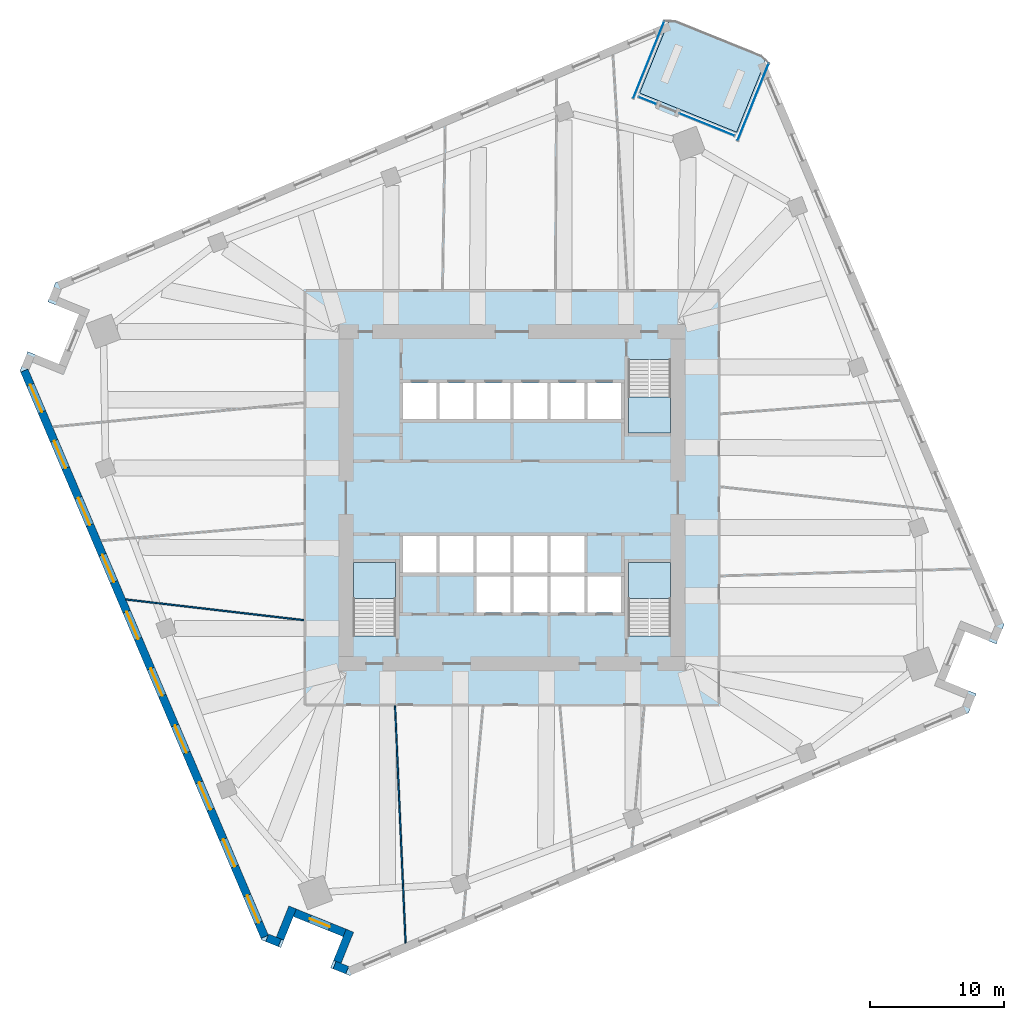
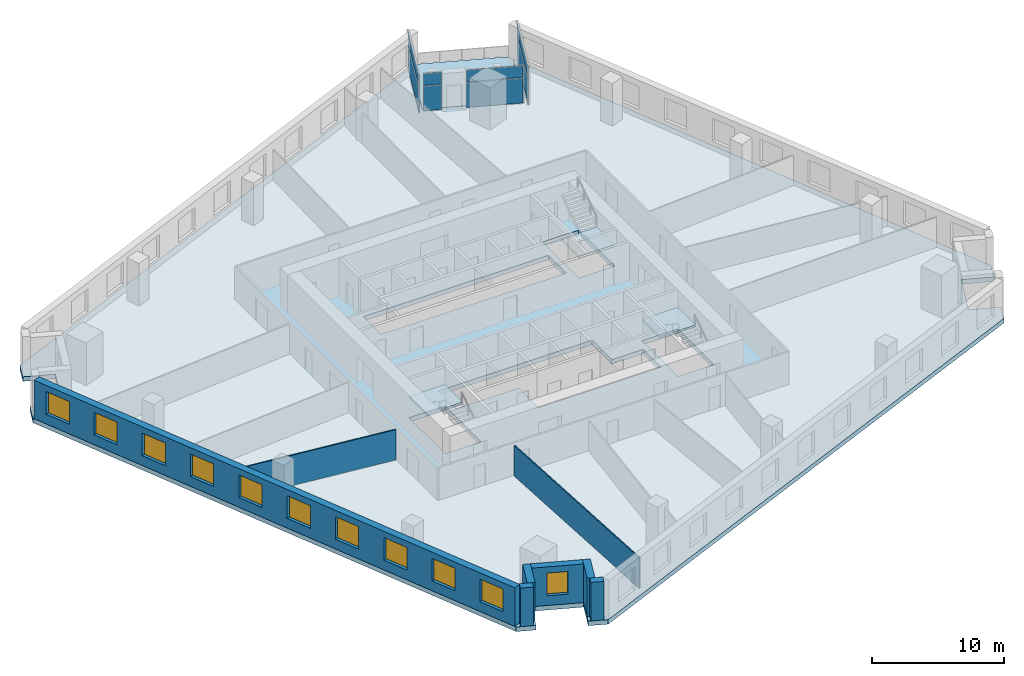
# One storey, part 5 of 12: 11 windows, 8 plates, 8 walls, 5 slabs, 11 openings, 7 elements without a shape of their own.
"""IFC4 building model written with IfcOpenShell, lengths in metres."""

from ifc_helpers import new_model, si_unit, direction, frame, frame_2d, origin, origin_2d, place, context, subcontext, project, spatial, polyline, rectangle, outline, extrude, material, layer, layer_set, type_object, element, fill, aggregate, save


model = new_model("IFC4")

# Units and contexts
model_context = context("Model", 3, precision=1e-05, world=origin(), true_north=direction((0.0, 1.0)))
body_context = subcontext(model_context, "Body", "Model", "MODEL_VIEW")
ifc_project = project(units=[si_unit("LENGTHUNIT", "METRE"), si_unit("AREAUNIT", "SQUARE_METRE"), si_unit("VOLUMEUNIT", "CUBIC_METRE"), si_unit("PLANEANGLEUNIT", "RADIAN"), si_unit("MASSUNIT", "GRAM", prefix="KILO")], contexts=[model_context])

# Site, building, storey
site_placement = place(None, origin())
site = spatial("IfcSite", under=ifc_project, at=site_placement, CompositionType="ELEMENT")
building_placement = place(site_placement, origin())
building = spatial("IfcBuilding", under=site, at=building_placement, Name="Dilmun Exchange Tower", CompositionType="ELEMENT")
storey_placement = place(building_placement, frame((0.0, 0.0, 114.10009765625)))
storey = spatial("IfcBuildingStorey", under=building, at=storey_placement, Name="L26", CompositionType="ELEMENT", Elevation=114.10009765625)

# Stair, slab
ifc_material_1 = material(Name="Concrete C40/50", Category="concrete")
stair_type = type_object("IfcStairType", Name="Exit stair 1500 half-turn", PredefinedType="HALF_TURN_STAIR", material=ifc_material_1)
stair_1_placement = place(storey_placement, origin())
stair_1 = element("IfcStair", 1, at=stair_1_placement, inside=storey, type_object=stair_type, Name="L26 Protected exit stair ST1", PredefinedType="HALF_TURN_STAIR")
ifc_layer_1 = layer(ifc_material_1, 0.199951171875)
ifc_layer_set_1 = layer_set([ifc_layer_1], Name="Concrete C40/50")
slab_type_1 = type_object("IfcSlabType", Name="Exit stair landing 200", PredefinedType="LANDING", material=ifc_layer_set_1)
slab_1_placement = place(storey_placement, frame((0.0, 0.0, 1.7998046875)))
slab_1 = element("IfcSlab", 2, at=slab_1_placement, type_object=slab_type_1, Name="ST1 landing 1", PredefinedType="LANDING", context=body_context, shape_type="SweptSolid", body=[
    extrude(outline(polyline([(8.64990234375, 7.5), (8.64990234375, 4.800048828125), (11.800048828125, 4.800048828125), (11.800048828125, 7.5), (8.64990234375, 7.5)])), origin(), (0.0, 0.0, 1.0), 0.2001953125),
])
aggregate(stair_1, [slab_1])

stair_2_placement = place(storey_placement, origin())
stair_2 = element("IfcStair", 3, at=stair_2_placement, inside=storey, type_object=stair_type, Name="L26 Protected exit stair ST2", PredefinedType="HALF_TURN_STAIR")
slab_2_placement = place(storey_placement, frame((0.0, 0.0, 1.7998046875)))
slab_2 = element("IfcSlab", 4, at=slab_2_placement, type_object=slab_type_1, Name="ST2 landing 1", PredefinedType="LANDING", context=body_context, shape_type="SweptSolid", body=[
    extrude(outline(polyline([(-8.64990234375, -7.5), (-8.64990234375, -4.800048828125), (-11.800048828125, -4.800048828125), (-11.800048828125, -7.5), (-8.64990234375, -7.5)])), origin(), (0.0, 0.0, 1.0), 0.2001953125),
])
aggregate(stair_2, [slab_2])

stair_3_placement = place(storey_placement, origin())
stair_3 = element("IfcStair", 5, at=stair_3_placement, inside=storey, type_object=stair_type, Name="L26 Protected exit stair ST3", PredefinedType="HALF_TURN_STAIR")
slab_3_placement = place(storey_placement, frame((0.0, 0.0, 1.7998046875)))
slab_3 = element("IfcSlab", 6, at=slab_3_placement, type_object=slab_type_1, Name="ST3 landing 1", PredefinedType="LANDING", context=body_context, shape_type="SweptSolid", body=[
    extrude(outline(polyline([(11.800048828125, -7.5), (11.800048828125, -4.800048828125), (8.64990234375, -4.800048828125), (8.64990234375, -7.5), (11.800048828125, -7.5)])), origin(), (0.0, 0.0, 1.0), 0.2001953125),
])
aggregate(stair_3, [slab_3])

# Curtain wall, plates
ifc_material_2 = material(Name="Anodised aluminium and clear glass", Category="aluminium")
curtain_wall_type = type_object("IfcCurtainWallType", Name="Garden corner glazing", PredefinedType="NOTDEFINED", material=ifc_material_2)
curtain_wall_1_placement = place(storey_placement, origin())
curtain_wall_1 = element("IfcCurtainWall", 7, at=curtain_wall_1_placement, inside=storey, type_object=curtain_wall_type, Name="Garden corner glazing run GC1.1", PredefinedType="NOTDEFINED")
ifc_material_3 = material(Name="Clear glass", Category="glass")
ifc_layer_2 = layer(ifc_material_3, 0.028076171875)
ifc_layer_set_2 = layer_set([ifc_layer_2], Name="Clear glass")
plate_type = type_object("IfcPlateType", Name="Garden corner glazing glass panel 28", PredefinedType="CURTAIN_PANEL", material=ifc_layer_set_2)
plate_1_placement = place(storey_placement, frame((17.931884765625, 29.425048828125, 0.059814453125), z_axis=(0.0, 0.0, 1.0), x_axis=(-0.374612333812, -0.927181535276, 0.0)))
plate_1 = element("IfcPlate", 8, at=plate_1_placement, type_object=plate_type, Name="GC1.1 panel 1.1", PredefinedType="CURTAIN_PANEL", context=body_context, shape_type="SweptSolid", body=[
    extrude(rectangle(XDim=6.12646484375, YDim=0.028076171875, at=origin_2d()), origin(), (0.0, 0.0, 1.0), 2.31005859375),
])
plate_2_placement = place(storey_placement, frame((17.931884765625, 29.425048828125, 2.4296875), z_axis=(0.0, 0.0, 1.0), x_axis=(-0.374612333812, -0.927181535276, 0.0)))
plate_2 = element("IfcPlate", 9, at=plate_2_placement, type_object=plate_type, Name="GC1.1 panel 1.2", PredefinedType="CURTAIN_PANEL", context=body_context, shape_type="SweptSolid", body=[
    extrude(rectangle(XDim=6.12646484375, YDim=0.028076171875, at=origin_2d()), origin(), (0.0, 0.0, 1.0), 1.090087890625),
])
aggregate(curtain_wall_1, [plate_1, plate_2])

curtain_wall_2_placement = place(storey_placement, origin())
curtain_wall_2 = element("IfcCurtainWall", 10, at=curtain_wall_2_placement, inside=storey, type_object=curtain_wall_type, Name="Garden corner glazing run GC2.1", PredefinedType="NOTDEFINED")
plate_3_placement = place(storey_placement, frame((14.514892578125, 27.7607421875, 0.059814453125), z_axis=(0.0, 0.0, 1.0), x_axis=(-0.927179054132, 0.374618474689, 0.0)))
plate_3 = element("IfcPlate", 11, at=plate_3_placement, type_object=plate_type, Name="GC2.1 panel 1.1", PredefinedType="CURTAIN_PANEL", context=body_context, shape_type="SweptSolid", body=[
    extrude(rectangle(XDim=4.369140625, YDim=0.028076171875, at=origin_2d()), origin(), (0.0, 0.0, 1.0), 2.31005859375),
])
plate_4_placement = place(storey_placement, frame((14.514892578125, 27.7607421875, 2.4296875), z_axis=(0.0, 0.0, 1.0), x_axis=(-0.927179054132, 0.374618474689, 0.0)))
plate_4 = element("IfcPlate", 12, at=plate_4_placement, type_object=plate_type, Name="GC2.1 panel 1.2", PredefinedType="CURTAIN_PANEL", context=body_context, shape_type="SweptSolid", body=[
    extrude(rectangle(XDim=4.369140625, YDim=0.028076171875, at=origin_2d()), origin(), (0.0, 0.0, 1.0), 1.090087890625),
])
aggregate(curtain_wall_2, [plate_3, plate_4])

curtain_wall_3_placement = place(storey_placement, origin())
curtain_wall_3 = element("IfcCurtainWall", 13, at=curtain_wall_3_placement, inside=storey, type_object=curtain_wall_type, Name="Garden corner glazing run GC2.3", PredefinedType="NOTDEFINED")
plate_5_placement = place(storey_placement, frame((10.07470703125, 29.5546875, 0.059814453125), z_axis=(0.0, 0.0, 1.0), x_axis=(-0.927192953177, 0.374584072778, 0.0)))
plate_5 = element("IfcPlate", 14, at=plate_5_placement, type_object=plate_type, Name="GC2.3 panel 1.1", PredefinedType="CURTAIN_PANEL", context=body_context, shape_type="SweptSolid", body=[
    extrude(rectangle(XDim=1.369140625, YDim=0.028076171875, at=origin_2d()), origin(), (0.0, 0.0, 1.0), 2.31005859375),
])
plate_6_placement = place(storey_placement, frame((10.07470703125, 29.5546875, 2.4296875), z_axis=(0.0, 0.0, 1.0), x_axis=(-0.927192953177, 0.374584072778, 0.0)))
plate_6 = element("IfcPlate", 15, at=plate_6_placement, type_object=plate_type, Name="GC2.3 panel 1.2", PredefinedType="CURTAIN_PANEL", context=body_context, shape_type="SweptSolid", body=[
    extrude(rectangle(XDim=1.369140625, YDim=0.028076171875, at=origin_2d()), origin(), (0.0, 0.0, 1.0), 1.090087890625),
])
aggregate(curtain_wall_3, [plate_5, plate_6])

curtain_wall_4_placement = place(storey_placement, origin())
curtain_wall_4 = element("IfcCurtainWall", 16, at=curtain_wall_4_placement, inside=storey, type_object=curtain_wall_type, Name="Garden corner glazing run GC3.1", PredefinedType="NOTDEFINED")
plate_7_placement = place(storey_placement, frame((10.163818359375, 32.563720703125, 0.059814453125), z_axis=(0.0, 0.0, 1.0), x_axis=(0.374598571247, 0.927187095693, 0.0)))
plate_7 = element("IfcPlate", 17, at=plate_7_placement, type_object=plate_type, Name="GC3.1 panel 1.1", PredefinedType="CURTAIN_PANEL", context=body_context, shape_type="SweptSolid", body=[
    extrude(rectangle(XDim=6.12646484375, YDim=0.028076171875, at=origin_2d()), origin(), (0.0, 0.0, 1.0), 2.31005859375),
])
plate_8_placement = place(storey_placement, frame((10.163818359375, 32.563720703125, 2.4296875), z_axis=(0.0, 0.0, 1.0), x_axis=(0.374598571247, 0.927187095693, 0.0)))
plate_8 = element("IfcPlate", 18, at=plate_8_placement, type_object=plate_type, Name="GC3.1 panel 1.2", PredefinedType="CURTAIN_PANEL", context=body_context, shape_type="SweptSolid", body=[
    extrude(rectangle(XDim=6.12646484375, YDim=0.028076171875, at=origin_2d()), origin(), (0.0, 0.0, 1.0), 1.090087890625),
])
aggregate(curtain_wall_4, [plate_7, plate_8])

# Slabs
ifc_layer_3 = layer(ifc_material_1, 0.419921875)
ifc_layer_set_3 = layer_set([ifc_layer_3], Name="Concrete C40/50")
slab_type_2 = type_object("IfcSlabType", Name="RC floor slab 420", PredefinedType="FLOOR", material=ifc_layer_set_3)
slab_4_placement = place(storey_placement, frame((0.0, 0.0, -0.420166015625)))
element("IfcSlab", 19, at=slab_4_placement, inside=storey, type_object=slab_type_2, Name="Floor slab", PredefinedType="FLOOR", context=body_context, shape_type="SweptSolid", body=[
    extrude(outline(polyline([(36.026611328125, -10.873291015625), (33.708740234375, -9.93701171875), (32.21044921875, -13.6455078125), (34.5283203125, -14.58203125), (33.953125, -16.005859375), (-12.072021484375, -35.54248046875), (-13.495849609375, -34.96728515625), (-12.559326171875, -32.649169921875), (-16.26806640625, -31.15087890625), (-17.20458984375, -33.46875), (-18.62841796875, -32.8935546875), (-36.60205078125, 9.44970703125), (-36.026611328125, 10.873291015625), (-33.708740234375, 9.93701171875), (-32.21044921875, 13.6455078125), (-34.5283203125, 14.58203125), (-33.953125, 16.005859375), (11.61181640625, 35.346923828125), (9.49658203125, 30.11181640625), (16.70849609375, 27.197998046875), (18.82373046875, 32.433349609375), (36.60205078125, -9.44970703125), (36.026611328125, -10.873291015625)]), holes=[polyline([(-8.64990234375, -4.800048828125), (-11.800048828125, -4.800048828125), (-11.800048828125, -10.294921875), (-8.64990234375, -10.294921875), (-8.64990234375, -4.800048828125)]), polyline([(11.800048828125, -4.800048828125), (8.64990234375, -4.800048828125), (8.64990234375, -10.294921875), (11.800048828125, -10.294921875), (11.800048828125, -4.800048828125)]), polyline([(-8.125, -2.85009765625), (-8.125, -5.550048828125), (-2.625, -5.550048828125), (-2.625, -8.550048828125), (8.125, -8.550048828125), (8.125, -5.85009765625), (5.375, -5.85009765625), (5.375, -2.85009765625), (-8.125, -2.85009765625)]), polyline([(-8.125, 5.85009765625), (8.125, 5.85009765625), (8.125, 8.550048828125), (-8.125, 8.550048828125), (-8.125, 5.85009765625)]), polyline([(8.64990234375, 10.294921875), (8.64990234375, 4.800048828125), (11.800048828125, 4.800048828125), (11.800048828125, 10.294921875), (8.64990234375, 10.294921875)])]), origin(), (0.0, 0.0, 1.0), 0.420166015625),
])
ifc_layer_4 = layer(ifc_material_1, 0.300048828125)
ifc_layer_set_4 = layer_set([ifc_layer_4], Name="Concrete C40/50")
slab_type_3 = type_object("IfcSlabType", Name="RC garden terrace slab 300", PredefinedType="FLOOR", material=ifc_layer_set_4)
slab_5_placement = place(storey_placement, frame((0.0, 0.0, -0.300048828125)))
element("IfcSlab", 20, at=slab_5_placement, inside=storey, type_object=slab_type_3, Name="Garden terrace slab", PredefinedType="FLOOR", context=body_context, shape_type="SweptSolid", body=[
    extrude(outline(polyline([(9.49658203125, 30.11181640625), (11.61181640625, 35.346923828125), (12.072021484375, 35.54248046875), (18.62841796875, 32.8935546875), (18.82373046875, 32.433349609375), (16.70849609375, 27.197998046875), (9.49658203125, 30.11181640625)])), origin(), (0.0, 0.0, 1.0), 0.300048828125),
])

# Walls
ifc_material_4 = material(Name="Partition 100")
ifc_layer_5 = layer(ifc_material_4, 0.10009765625)
ifc_layer_set_5 = layer_set([ifc_layer_5], Name="Partition 100")
wall_type_1 = type_object("IfcWallType", Name="Partition 100", PredefinedType="PARTITIONING", material=ifc_layer_set_5)
wall_1_placement = place(storey_placement, frame((-28.724853515625, -7.567138671875, 0.0), z_axis=(0.0, 0.0, 1.0), x_axis=(0.993302982739, -0.115538670939, 0.0)))
element("IfcWall", 21, at=wall_1_placement, inside=storey, type_object=wall_type_1, Name="Partition", PredefinedType="PARTITIONING", context=body_context, shape_type="SweptSolid", body=[
    extrude(rectangle(XDim=13.33349609375, YDim=0.10009765625, at=frame_2d((6.666748046875, 0.0))), origin(), (0.0, 0.0, 1.0), 2.829833984375),
])
wall_2_placement = place(storey_placement, frame((-8.70556640625, -15.477294921875, 0.0), z_axis=(0.0, 0.0, 1.0), x_axis=(0.044654718462, -0.999002480537, 0.0)))
element("IfcWall", 22, at=wall_2_placement, inside=storey, type_object=wall_type_1, Name="Partition", PredefinedType="PARTITIONING", context=body_context, shape_type="SweptSolid", body=[
    extrude(rectangle(XDim=17.664794921875, YDim=0.10009765625, at=frame_2d((8.83251953125, 0.0))), origin(), (0.0, 0.0, 1.0), 2.829833984375),
])

# Wall, openings, windows
ifc_material_5 = material(Name="Precast concrete C50/60", Category="concrete")
ifc_layer_6 = layer(ifc_material_5, 0.60009765625)
ifc_layer_set_6 = layer_set([ifc_layer_6], Name="Precast concrete C50/60")
wall_type_2 = type_object("IfcWallType", Name="Precast stone-clad wall 600", PredefinedType="STANDARD", material=ifc_layer_set_6)
wall_3_placement = place(storey_placement, frame((-36.27734375, 9.452392578125, 0.0), z_axis=(0.0, 0.0, 1.0), x_axis=(0.39073607599, -0.920502753347, 0.0)))
wall_3 = element("IfcWall", 23, at=wall_3_placement, inside=storey, type_object=wall_type_2, Name="Facade wall L26-09", PredefinedType="STANDARD", context=body_context, shape_type="SweptSolid", body=[
    extrude(rectangle(XDim=45.75146484375, YDim=0.60009765625, at=frame_2d((22.875732421875, 0.0))), origin(), (0.0, 0.0, 1.0), 3.579833984375),
])
opening_1_placement = place(wall_3_placement, frame((1.137939453125, 0.0, 0.89990234375)))
opening_1 = element("IfcOpeningElement", 24, at=opening_1_placement, cuts=wall_3, Name="Opening W220-210", PredefinedType="OPENING", context=body_context, shape_type="SweptSolid", body=[
    extrude(rectangle(XDim=2.199951171875, YDim=2.10009765625, at=frame_2d((1.10009765625, 1.050048828125))), frame((0.0, 0.31005859375, 0.0), z_axis=(0.0, -1.0, 0.0), x_axis=(1.0, 0.0, 0.0)), (0.0, 0.0, 1.0), 0.6201171875),
])
opening_2_placement = place(wall_3_placement, frame((5.67578125, 0.0, 0.89990234375)))
opening_2 = element("IfcOpeningElement", 25, at=opening_2_placement, cuts=wall_3, Name="Opening W220-210", PredefinedType="OPENING", context=body_context, shape_type="SweptSolid", body=[
    extrude(rectangle(XDim=2.199951171875, YDim=2.10009765625, at=frame_2d((1.10009765625, 1.050048828125))), frame((0.0, 0.31005859375, 0.0), z_axis=(0.0, -1.0, 0.0), x_axis=(1.0, 0.0, 0.0)), (0.0, 0.0, 1.0), 0.6201171875),
])
opening_3_placement = place(wall_3_placement, frame((10.275634765625, 0.0, 0.89990234375)))
opening_3 = element("IfcOpeningElement", 26, at=opening_3_placement, cuts=wall_3, Name="Opening W220-210", PredefinedType="OPENING", context=body_context, shape_type="SweptSolid", body=[
    extrude(rectangle(XDim=2.199951171875, YDim=2.10009765625, at=frame_2d((1.10009765625, 1.050048828125))), frame((0.0, 0.31005859375, 0.0), z_axis=(0.0, -1.0, 0.0), x_axis=(1.0, 0.0, 0.0)), (0.0, 0.0, 1.0), 0.6201171875),
])
opening_4_placement = place(wall_3_placement, frame((14.875732421875, 0.0, 0.89990234375)))
opening_4 = element("IfcOpeningElement", 27, at=opening_4_placement, cuts=wall_3, Name="Opening W220-210", PredefinedType="OPENING", context=body_context, shape_type="SweptSolid", body=[
    extrude(rectangle(XDim=2.199951171875, YDim=2.10009765625, at=frame_2d((1.10009765625, 1.050048828125))), frame((0.0, 0.31005859375, 0.0), z_axis=(0.0, -1.0, 0.0), x_axis=(1.0, 0.0, 0.0)), (0.0, 0.0, 1.0), 0.6201171875),
])
opening_5_placement = place(wall_3_placement, frame((19.4755859375, 0.0, 0.89990234375)))
opening_5 = element("IfcOpeningElement", 28, at=opening_5_placement, cuts=wall_3, Name="Opening W220-210", PredefinedType="OPENING", context=body_context, shape_type="SweptSolid", body=[
    extrude(rectangle(XDim=2.199951171875, YDim=2.10009765625, at=frame_2d((1.10009765625, 1.050048828125))), frame((0.0, 0.31005859375, 0.0), z_axis=(0.0, -1.0, 0.0), x_axis=(1.0, 0.0, 0.0)), (0.0, 0.0, 1.0), 0.6201171875),
])
opening_6_placement = place(wall_3_placement, frame((24.07568359375, 0.0, 0.89990234375)))
opening_6 = element("IfcOpeningElement", 29, at=opening_6_placement, cuts=wall_3, Name="Opening W220-210", PredefinedType="OPENING", context=body_context, shape_type="SweptSolid", body=[
    extrude(rectangle(XDim=2.199951171875, YDim=2.10009765625, at=frame_2d((1.10009765625, 1.050048828125))), frame((0.0, 0.31005859375, 0.0), z_axis=(0.0, -1.0, 0.0), x_axis=(1.0, 0.0, 0.0)), (0.0, 0.0, 1.0), 0.6201171875),
])
opening_7_placement = place(wall_3_placement, frame((28.67578125, 0.0, 0.89990234375)))
opening_7 = element("IfcOpeningElement", 30, at=opening_7_placement, cuts=wall_3, Name="Opening W220-210", PredefinedType="OPENING", context=body_context, shape_type="SweptSolid", body=[
    extrude(rectangle(XDim=2.199951171875, YDim=2.10009765625, at=frame_2d((1.10009765625, 1.050048828125))), frame((0.0, 0.31005859375, 0.0), z_axis=(0.0, -1.0, 0.0), x_axis=(1.0, 0.0, 0.0)), (0.0, 0.0, 1.0), 0.6201171875),
])
opening_8_placement = place(wall_3_placement, frame((33.275634765625, 0.0, 0.89990234375)))
opening_8 = element("IfcOpeningElement", 31, at=opening_8_placement, cuts=wall_3, Name="Opening W220-210", PredefinedType="OPENING", context=body_context, shape_type="SweptSolid", body=[
    extrude(rectangle(XDim=2.199951171875, YDim=2.10009765625, at=frame_2d((1.10009765625, 1.050048828125))), frame((0.0, 0.31005859375, 0.0), z_axis=(0.0, -1.0, 0.0), x_axis=(1.0, 0.0, 0.0)), (0.0, 0.0, 1.0), 0.6201171875),
])
opening_9_placement = place(wall_3_placement, frame((37.875732421875, 0.0, 0.89990234375)))
opening_9 = element("IfcOpeningElement", 32, at=opening_9_placement, cuts=wall_3, Name="Opening W220-210", PredefinedType="OPENING", context=body_context, shape_type="SweptSolid", body=[
    extrude(rectangle(XDim=2.199951171875, YDim=2.10009765625, at=frame_2d((1.10009765625, 1.050048828125))), frame((0.0, 0.31005859375, 0.0), z_axis=(0.0, -1.0, 0.0), x_axis=(1.0, 0.0, 0.0)), (0.0, 0.0, 1.0), 0.6201171875),
])
opening_10_placement = place(wall_3_placement, frame((42.41357421875, 0.0, 0.89990234375)))
opening_10 = element("IfcOpeningElement", 33, at=opening_10_placement, cuts=wall_3, Name="Opening W220-210", PredefinedType="OPENING", context=body_context, shape_type="SweptSolid", body=[
    extrude(rectangle(XDim=2.199951171875, YDim=2.10009765625, at=frame_2d((1.10009765625, 1.050048828125))), frame((0.0, 0.31005859375, 0.0), z_axis=(0.0, -1.0, 0.0), x_axis=(1.0, 0.0, 0.0)), (0.0, 0.0, 1.0), 0.6201171875),
])
ifc_material_6 = material(Name="Clear low-emissivity glass in aluminium frame", Category="aluminium")
window_type_1 = type_object("IfcWindowType", Name="Punched window 2200 x 2100", PartitioningType="DOUBLE_PANEL_VERTICAL", PredefinedType="WINDOW", material=ifc_material_6)
window_1_placement = place(opening_1_placement, origin())
window_1 = element("IfcWindow", 34, at=window_1_placement, inside=storey, type_object=window_type_1, Name="Window 10.1", OverallHeight=2.10009765625, OverallWidth=2.199951171875, PartitioningType="SINGLE_PANEL", PredefinedType="WINDOW", context=body_context, shape_type="SweptSolid", body=[
    extrude(rectangle(XDim=2.199951171875, YDim=2.10009765625, at=frame_2d((1.10009765625, 1.050048828125))), frame((0.0, 0.030029296875, 0.0), z_axis=(0.0, -1.0, 0.0), x_axis=(1.0, 0.0, 0.0)), (0.0, 0.0, 1.0), 0.06005859375),
])
fill(opening_1, window_1)
window_2_placement = place(opening_2_placement, origin())
window_2 = element("IfcWindow", 35, at=window_2_placement, inside=storey, type_object=window_type_1, Name="Window 10.2", OverallHeight=2.10009765625, OverallWidth=2.199951171875, PartitioningType="SINGLE_PANEL", PredefinedType="WINDOW", context=body_context, shape_type="SweptSolid", body=[
    extrude(rectangle(XDim=2.199951171875, YDim=2.10009765625, at=frame_2d((1.10009765625, 1.050048828125))), frame((0.0, 0.030029296875, 0.0), z_axis=(0.0, -1.0, 0.0), x_axis=(1.0, 0.0, 0.0)), (0.0, 0.0, 1.0), 0.06005859375),
])
fill(opening_2, window_2)
window_3_placement = place(opening_3_placement, origin())
window_3 = element("IfcWindow", 36, at=window_3_placement, inside=storey, type_object=window_type_1, Name="Window 10.3", OverallHeight=2.10009765625, OverallWidth=2.199951171875, PartitioningType="SINGLE_PANEL", PredefinedType="WINDOW", context=body_context, shape_type="SweptSolid", body=[
    extrude(rectangle(XDim=2.199951171875, YDim=2.10009765625, at=frame_2d((1.10009765625, 1.050048828125))), frame((0.0, 0.030029296875, 0.0), z_axis=(0.0, -1.0, 0.0), x_axis=(1.0, 0.0, 0.0)), (0.0, 0.0, 1.0), 0.06005859375),
])
fill(opening_3, window_3)
window_4_placement = place(opening_4_placement, origin())
window_4 = element("IfcWindow", 37, at=window_4_placement, inside=storey, type_object=window_type_1, Name="Window 10.4", OverallHeight=2.10009765625, OverallWidth=2.199951171875, PartitioningType="SINGLE_PANEL", PredefinedType="WINDOW", context=body_context, shape_type="SweptSolid", body=[
    extrude(rectangle(XDim=2.199951171875, YDim=2.10009765625, at=frame_2d((1.10009765625, 1.050048828125))), frame((0.0, 0.030029296875, 0.0), z_axis=(0.0, -1.0, 0.0), x_axis=(1.0, 0.0, 0.0)), (0.0, 0.0, 1.0), 0.06005859375),
])
fill(opening_4, window_4)
window_5_placement = place(opening_5_placement, origin())
window_5 = element("IfcWindow", 38, at=window_5_placement, inside=storey, type_object=window_type_1, Name="Window 10.5", OverallHeight=2.10009765625, OverallWidth=2.199951171875, PartitioningType="SINGLE_PANEL", PredefinedType="WINDOW", context=body_context, shape_type="SweptSolid", body=[
    extrude(rectangle(XDim=2.199951171875, YDim=2.10009765625, at=frame_2d((1.10009765625, 1.050048828125))), frame((0.0, 0.030029296875, 0.0), z_axis=(0.0, -1.0, 0.0), x_axis=(1.0, 0.0, 0.0)), (0.0, 0.0, 1.0), 0.06005859375),
])
fill(opening_5, window_5)
window_6_placement = place(opening_6_placement, origin())
window_6 = element("IfcWindow", 39, at=window_6_placement, inside=storey, type_object=window_type_1, Name="Window 10.6", OverallHeight=2.10009765625, OverallWidth=2.199951171875, PartitioningType="SINGLE_PANEL", PredefinedType="WINDOW", context=body_context, shape_type="SweptSolid", body=[
    extrude(rectangle(XDim=2.199951171875, YDim=2.10009765625, at=frame_2d((1.10009765625, 1.050048828125))), frame((0.0, 0.030029296875, 0.0), z_axis=(0.0, -1.0, 0.0), x_axis=(1.0, 0.0, 0.0)), (0.0, 0.0, 1.0), 0.06005859375),
])
fill(opening_6, window_6)
window_7_placement = place(opening_7_placement, origin())
window_7 = element("IfcWindow", 40, at=window_7_placement, inside=storey, type_object=window_type_1, Name="Window 10.7", OverallHeight=2.10009765625, OverallWidth=2.199951171875, PartitioningType="SINGLE_PANEL", PredefinedType="WINDOW", context=body_context, shape_type="SweptSolid", body=[
    extrude(rectangle(XDim=2.199951171875, YDim=2.10009765625, at=frame_2d((1.10009765625, 1.050048828125))), frame((0.0, 0.030029296875, 0.0), z_axis=(0.0, -1.0, 0.0), x_axis=(1.0, 0.0, 0.0)), (0.0, 0.0, 1.0), 0.06005859375),
])
fill(opening_7, window_7)
window_8_placement = place(opening_8_placement, origin())
window_8 = element("IfcWindow", 41, at=window_8_placement, inside=storey, type_object=window_type_1, Name="Window 10.8", OverallHeight=2.10009765625, OverallWidth=2.199951171875, PartitioningType="SINGLE_PANEL", PredefinedType="WINDOW", context=body_context, shape_type="SweptSolid", body=[
    extrude(rectangle(XDim=2.199951171875, YDim=2.10009765625, at=frame_2d((1.10009765625, 1.050048828125))), frame((0.0, 0.030029296875, 0.0), z_axis=(0.0, -1.0, 0.0), x_axis=(1.0, 0.0, 0.0)), (0.0, 0.0, 1.0), 0.06005859375),
])
fill(opening_8, window_8)
window_9_placement = place(opening_9_placement, origin())
window_9 = element("IfcWindow", 42, at=window_9_placement, inside=storey, type_object=window_type_1, Name="Window 10.9", OverallHeight=2.10009765625, OverallWidth=2.199951171875, PartitioningType="SINGLE_PANEL", PredefinedType="WINDOW", context=body_context, shape_type="SweptSolid", body=[
    extrude(rectangle(XDim=2.199951171875, YDim=2.10009765625, at=frame_2d((1.10009765625, 1.050048828125))), frame((0.0, 0.030029296875, 0.0), z_axis=(0.0, -1.0, 0.0), x_axis=(1.0, 0.0, 0.0)), (0.0, 0.0, 1.0), 0.06005859375),
])
fill(opening_9, window_9)
window_10_placement = place(opening_10_placement, origin())
window_10 = element("IfcWindow", 43, at=window_10_placement, inside=storey, type_object=window_type_1, Name="Window 10.10", OverallHeight=2.10009765625, OverallWidth=2.199951171875, PartitioningType="SINGLE_PANEL", PredefinedType="WINDOW", context=body_context, shape_type="SweptSolid", body=[
    extrude(rectangle(XDim=2.199951171875, YDim=2.10009765625, at=frame_2d((1.10009765625, 1.050048828125))), frame((0.0, 0.030029296875, 0.0), z_axis=(0.0, -1.0, 0.0), x_axis=(1.0, 0.0, 0.0)), (0.0, 0.0, 1.0), 0.06005859375),
])
fill(opening_10, window_10)

# Walls
wall_4_placement = place(storey_placement, frame((-18.21533203125, -32.73681640625, 0.0), z_axis=(0.0, 0.0, 1.0), x_axis=(0.92717251323, -0.374634662987, 0.0)))
element("IfcWall", 44, at=wall_4_placement, inside=storey, type_object=wall_type_2, Name="Facade wall L26-10", PredefinedType="STANDARD", context=body_context, shape_type="SweptSolid", body=[
    extrude(rectangle(XDim=1.011474609375, YDim=0.60009765625, at=frame_2d((0.505859375, 0.0))), origin(), (0.0, 0.0, 1.0), 3.579833984375),
])
wall_5_placement = place(storey_placement, frame((-17.258056640625, -32.800048828125, 0.0), z_axis=(0.0, 0.0, 1.0), x_axis=(0.374621286461, 0.927177918056, 0.0)))
element("IfcWall", 45, at=wall_5_placement, inside=storey, type_object=wall_type_2, Name="Facade wall L26-11", PredefinedType="STANDARD", context=body_context, shape_type="SweptSolid", body=[
    extrude(rectangle(XDim=2.5, YDim=0.60009765625, at=frame_2d((1.25, 0.0))), origin(), (0.0, 0.0, 1.0), 3.579833984375),
])

# Wall, opening, window
wall_6_placement = place(storey_placement, frame((-16.15576171875, -30.872802734375, 0.0), z_axis=(0.0, 0.0, 1.0), x_axis=(0.927195776646, -0.374577083883, 0.0)))
wall_6 = element("IfcWall", 46, at=wall_6_placement, inside=storey, type_object=wall_type_2, Name="Facade wall L26-12", PredefinedType="STANDARD", context=body_context, shape_type="SweptSolid", body=[
    extrude(rectangle(XDim=4.0, YDim=0.60009765625, at=frame_2d((2.0, 0.0))), origin(), (0.0, 0.0, 1.0), 3.579833984375),
])
opening_11_placement = place(wall_6_placement, frame((1.199951171875, 0.0, 0.89990234375)))
opening_11 = element("IfcOpeningElement", 47, at=opening_11_placement, cuts=wall_6, Name="Opening W160-210", PredefinedType="OPENING", context=body_context, shape_type="SweptSolid", body=[
    extrude(rectangle(XDim=1.60009765625, YDim=2.10009765625, at=frame_2d((0.800048828125, 1.050048828125))), frame((0.0, 0.31005859375, 0.0), z_axis=(0.0, -1.0, 0.0), x_axis=(1.0, 0.0, 0.0)), (0.0, 0.0, 1.0), 0.6201171875),
])
window_type_2 = type_object("IfcWindowType", Name="Punched window 1600 x 2100", PartitioningType="DOUBLE_PANEL_VERTICAL", PredefinedType="WINDOW", material=ifc_material_6)
window_11_placement = place(opening_11_placement, origin())
window_11 = element("IfcWindow", 48, at=window_11_placement, inside=storey, type_object=window_type_2, Name="Window 13.1", OverallHeight=2.10009765625, OverallWidth=1.60009765625, PartitioningType="SINGLE_PANEL", PredefinedType="WINDOW", context=body_context, shape_type="SweptSolid", body=[
    extrude(rectangle(XDim=1.60009765625, YDim=2.10009765625, at=frame_2d((0.800048828125, 1.050048828125))), frame((0.0, 0.030029296875, 0.0), z_axis=(0.0, -1.0, 0.0), x_axis=(1.0, 0.0, 0.0)), (0.0, 0.0, 1.0), 0.06005859375),
])
fill(opening_11, window_11)

# Walls
wall_7_placement = place(storey_placement, frame((-12.056396484375, -32.205322265625, 0.0), z_axis=(0.0, 0.0, 1.0), x_axis=(-0.374621286461, -0.927177918056, 0.0)))
element("IfcWall", 49, at=wall_7_placement, inside=storey, type_object=wall_type_2, Name="Facade wall L26-13", PredefinedType="STANDARD", context=body_context, shape_type="SweptSolid", body=[
    extrude(rectangle(XDim=2.5, YDim=0.60009765625, at=frame_2d((1.25, 0.0))), origin(), (0.0, 0.0, 1.0), 3.579833984375),
])
wall_8_placement = place(storey_placement, frame((-13.197998046875, -34.763916015625, 0.0), z_axis=(0.0, 0.0, 1.0), x_axis=(0.92713862273, -0.374718526687, 0.0)))
element("IfcWall", 50, at=wall_8_placement, inside=storey, type_object=wall_type_2, Name="Facade wall L26-14", PredefinedType="STANDARD", context=body_context, shape_type="SweptSolid", body=[
    extrude(rectangle(XDim=1.01123046875, YDim=0.60009765625, at=frame_2d((0.505615234375, 0.0))), origin(), (0.0, 0.0, 1.0), 3.579833984375),
])

save(model, "model.ifc")
